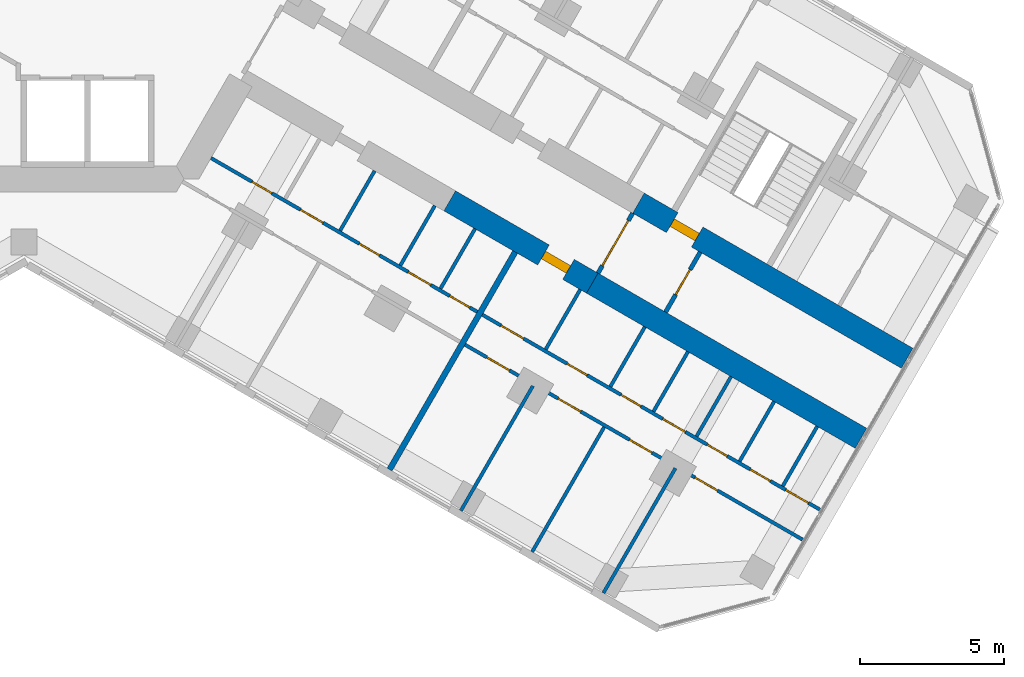
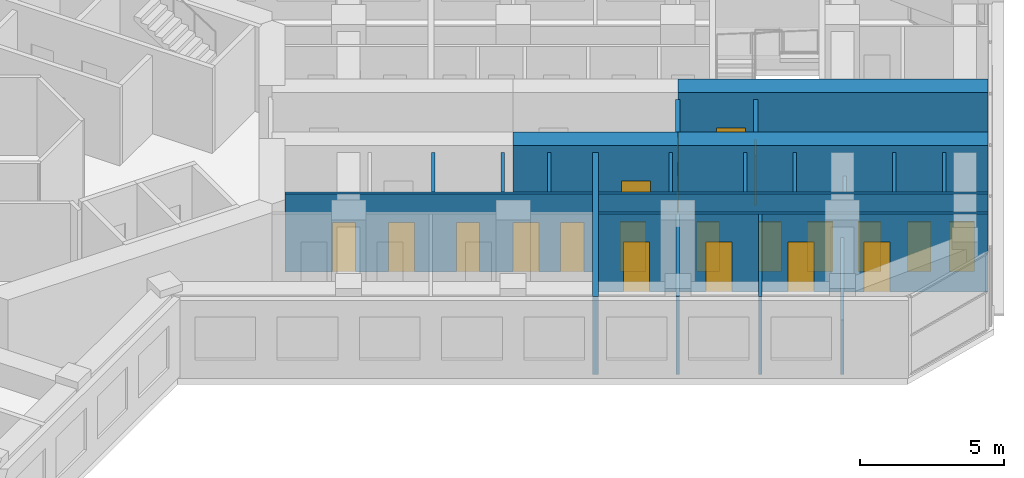
# One storey, part 14 of 20: 21 walls, 20 doors, 20 openings.
"""IFC4 building model written with IfcOpenShell, lengths in metres."""

from ifc_helpers import new_model, si_unit, direction, frame, frame_2d, origin, place, context, subcontext, project, spatial, rectangle, extrude, material, layer, layer_set, type_object, element, fill, save


model = new_model("IFC4")

# Units and contexts
model_context = context("Model", 3, precision=1e-05, world=origin(), true_north=direction((0.0, 1.0)))
body_context = subcontext(model_context, "Body", "Model", "MODEL_VIEW")
ifc_project = project(units=[si_unit("LENGTHUNIT", "METRE"), si_unit("AREAUNIT", "SQUARE_METRE"), si_unit("VOLUMEUNIT", "CUBIC_METRE"), si_unit("PLANEANGLEUNIT", "RADIAN"), si_unit("MASSUNIT", "GRAM", prefix="KILO")], contexts=[model_context])

# Site, building, storey
site_placement = place(None, origin())
site = spatial("IfcSite", under=ifc_project, at=site_placement, CompositionType="ELEMENT")
building_placement = place(site_placement, origin())
building = spatial("IfcBuilding", under=site, at=building_placement, Name="Kosmar Iwan School Tower", CompositionType="ELEMENT")
storey_placement = place(building_placement, frame((0.0, 0.0, 183.199951171875)))
storey = spatial("IfcBuildingStorey", under=building, at=storey_placement, Name="L46", CompositionType="ELEMENT", Elevation=183.199951171875)

# Wall, opening, door
ifc_material_1 = material(Name="Concrete C50/60", Category="concrete")
ifc_layer_1 = layer(ifc_material_1, 0.800048828125)
ifc_layer_set_1 = layer_set([ifc_layer_1], Name="Corridor buttress wall 800")
wall_type_1 = type_object("IfcWallType", Name="Corridor buttress wall 800", PredefinedType="SHEAR", material=ifc_layer_set_1)
wall_1_placement = place(storey_placement, frame((21.281494140625, -10.439453125, 0.0), z_axis=(0.0, 0.0, 1.0), x_axis=(0.866032345022, -0.499987977232, 0.0)))
wall_1 = element("IfcWall", 1, at=wall_1_placement, inside=storey, type_object=wall_type_1, Name="Corridor wall CL bay 3", PredefinedType="SHEAR", context=body_context, shape_type="SweptSolid", body=[
    extrude(rectangle(XDim=10.744873046875, YDim=0.800048828125, at=frame_2d((5.37255859375, 0.0))), origin(), (0.0, 0.0, 1.0), 3.60009765625),
])
opening_1_placement = place(wall_1_placement, frame((1.35009765625, 0.0, 0.0)))
opening_1 = element("IfcOpeningElement", 2, at=opening_1_placement, cuts=wall_1, Name="Opening D6", PredefinedType="OPENING", context=body_context, shape_type="SweptSolid", body=[
    extrude(rectangle(XDim=1.0, YDim=2.10009765625, at=frame_2d((0.5, 1.050048828125))), frame((0.0, 0.412109375, 0.0), z_axis=(0.0, -1.0, 0.0), x_axis=(1.0, 0.0, 0.0)), (0.0, 0.0, 1.0), 0.823974609375),
])
ifc_material_2 = material(Name="Steel fire door", Category="steel")
door_type_1 = type_object("IfcDoorType", Name="Stair door 1000x2100", OperationType="SINGLE_SWING_LEFT", PredefinedType="DOOR", material=ifc_material_2)
door_1_placement = place(opening_1_placement, origin())
door_1 = element("IfcDoor", 3, at=door_1_placement, inside=storey, type_object=door_type_1, Name="Stair WS3 door L46", OperationType="SINGLE_SWING_LEFT", OverallHeight=2.10009765625, OverallWidth=1.0, PredefinedType="DOOR", context=body_context, shape_type="SweptSolid", body=[
    extrude(rectangle(XDim=1.0, YDim=2.10009765625, at=frame_2d((0.5, 1.050048828125))), frame((0.0, 0.14990234375, 0.0), z_axis=(0.0, -1.0, 0.0), x_axis=(1.0, 0.0, 0.0)), (0.0, 0.0, 1.0), 0.300048828125),
])
fill(opening_1, door_1)

wall_2_placement = place(storey_placement, frame((14.7451171875, -10.360595703125, 0.0), z_axis=(0.0, 0.0, 1.0), x_axis=(0.866015111908, -0.50001782563, 0.0)))
wall_2 = element("IfcWall", 4, at=wall_2_placement, inside=storey, type_object=wall_type_1, Name="Corridor wall CR bay 2", PredefinedType="SHEAR", context=body_context, shape_type="SweptSolid", body=[
    extrude(rectangle(XDim=5.699951171875, YDim=0.800048828125, at=frame_2d((2.85009765625, 0.0))), origin(), (0.0, 0.0, 1.0), 3.60009765625),
])
opening_2_placement = place(wall_2_placement, frame((3.75, 0.0, 0.0)))
opening_2 = element("IfcOpeningElement", 5, at=opening_2_placement, cuts=wall_2, Name="Opening D1", PredefinedType="OPENING", context=body_context, shape_type="SweptSolid", body=[
    extrude(rectangle(XDim=1.0, YDim=2.10009765625, at=frame_2d((0.5, 1.050048828125))), frame((0.0, 0.412109375, 0.0), z_axis=(0.0, -1.0, 0.0), x_axis=(1.0, 0.0, 0.0)), (0.0, 0.0, 1.0), 0.823974609375),
])
ifc_material_3 = material(Name="Timber fire door in steel frame", Category="steel")
door_type_2 = type_object("IfcDoorType", Name="Flat entrance door 1000x2100", OperationType="SINGLE_SWING_LEFT", PredefinedType="DOOR", material=ifc_material_3)
door_2_placement = place(opening_2_placement, origin())
door_2 = element("IfcDoor", 6, at=door_2_placement, inside=storey, type_object=door_type_2, Name="Flat L46-CR2 entrance door", OperationType="SINGLE_SWING_RIGHT", OverallHeight=2.10009765625, OverallWidth=1.0, PredefinedType="DOOR", context=body_context, shape_type="SweptSolid", body=[
    extrude(rectangle(XDim=1.0, YDim=2.10009765625, at=frame_2d((0.5, 1.050048828125))), frame((0.0, 0.14990234375, 0.0), z_axis=(0.0, -1.0, 0.0), x_axis=(1.0, 0.0, 0.0)), (0.0, 0.0, 1.0), 0.300048828125),
])
fill(opening_2, door_2)

# Wall
wall_3_placement = place(storey_placement, frame((19.681396484375, -13.210693359375, 0.0), z_axis=(0.0, 0.0, 1.0), x_axis=(0.866028186671, -0.499995179869, 0.0)))
element("IfcWall", 7, at=wall_3_placement, inside=storey, type_object=wall_type_1, Name="Corridor wall CR bay 3", PredefinedType="SHEAR", context=body_context, shape_type="SweptSolid", body=[
    extrude(rectangle(XDim=10.7451171875, YDim=0.800048828125, at=frame_2d((5.37255859375, 0.0))), origin(), (0.0, 0.0, 1.0), 3.60009765625),
])

# Wall, opening, door
ifc_material_4 = material(Name="Gypsum board on steel studs, fire-rated", Category="steel")
ifc_layer_2 = layer(ifc_material_4, 0.14990234375)
ifc_layer_set_2 = layer_set([ifc_layer_2], Name="Corridor end wall 150")
wall_type_2 = type_object("IfcWallType", Name="Corridor end wall 150", PredefinedType="PARTITIONING", material=ifc_layer_set_2)
wall_4_placement = place(storey_placement, frame((22.2197265625, -14.21435546875, 0.0), z_axis=(0.0, 0.0, 1.0), x_axis=(0.499957262057, 0.866050077142, 0.0)))
wall_4 = element("IfcWall", 8, at=wall_4_placement, inside=storey, type_object=wall_type_2, Name="Partition L46-C-CE", PredefinedType="PARTITIONING", context=body_context, shape_type="SweptSolid", body=[
    extrude(rectangle(XDim=2.400146484375, YDim=0.14990234375, at=frame_2d((1.2001953125, 0.0))), origin(), (0.0, 0.0, 1.0), 3.300048828125),
])
opening_3_placement = place(wall_4_placement, frame((0.699951171875, 0.0, 0.0)))
opening_3 = element("IfcOpeningElement", 9, at=opening_3_placement, cuts=wall_4, Name="Opening D13", PredefinedType="OPENING", context=body_context, shape_type="SweptSolid", body=[
    extrude(rectangle(XDim=1.0, YDim=2.10009765625, at=frame_2d((0.5, 1.050048828125))), frame((0.0, 0.0869140625, 0.0), z_axis=(0.0, -1.0, 0.0), x_axis=(1.0, 0.0, 0.0)), (0.0, 0.0, 1.0), 0.173828125),
])
ifc_material_5 = material(Name="Timber fire door with vision panel", Category="wood")
door_type_3 = type_object("IfcDoorType", Name="Corridor end door 1000x2100", OperationType="SINGLE_SWING_LEFT", PredefinedType="DOOR", material=ifc_material_5)
door_3_placement = place(opening_3_placement, origin())
door_3 = element("IfcDoor", 10, at=door_3_placement, inside=storey, type_object=door_type_3, Name="Family study room door L46-C", OperationType="SINGLE_SWING_RIGHT", OverallHeight=2.10009765625, OverallWidth=1.0, PredefinedType="DOOR", context=body_context, shape_type="SweptSolid", body=[
    extrude(rectangle(XDim=1.0, YDim=2.10009765625, at=frame_2d((0.5, 1.050048828125))), frame((0.0, 0.02490234375, 0.0), z_axis=(0.0, -1.0, 0.0), x_axis=(1.0, 0.0, 0.0)), (0.0, 0.0, 1.0), 0.050048828125),
])
fill(opening_3, door_3)

wall_5_placement = place(storey_placement, frame((19.881591796875, -12.8642578125, 0.0), z_axis=(0.0, 0.0, 1.0), x_axis=(0.499957262057, 0.866050077142, 0.0)))
wall_5 = element("IfcWall", 11, at=wall_5_placement, inside=storey, type_object=wall_type_2, Name="Partition L46-C-HW", PredefinedType="PARTITIONING", context=body_context, shape_type="SweptSolid", body=[
    extrude(rectangle(XDim=2.400146484375, YDim=0.14990234375, at=frame_2d((1.2001953125, 0.0))), origin(), (0.0, 0.0, 1.0), 3.300048828125),
])
opening_4_placement = place(wall_5_placement, frame((0.300048828125, 0.0, 0.0)))
opening_4 = element("IfcOpeningElement", 12, at=opening_4_placement, cuts=wall_5, Name="Opening D9", PredefinedType="OPENING", context=body_context, shape_type="SweptSolid", body=[
    extrude(rectangle(XDim=1.800048828125, YDim=2.10009765625, at=frame_2d((0.89990234375, 1.050048828125))), frame((0.0, 0.0869140625, 0.0), z_axis=(0.0, -1.0, 0.0), x_axis=(1.0, 0.0, 0.0)), (0.0, 0.0, 1.0), 0.173828125),
])
ifc_material_6 = material(Name="Steel framed glazed smoke door", Category="steel")
door_type_4 = type_object("IfcDoorType", Name="Corridor smoke door pair 1800x2100", OperationType="DOUBLE_DOOR_DOUBLE_SWING", PredefinedType="DOOR", material=ifc_material_6)
door_4_placement = place(opening_4_placement, origin())
door_4 = element("IfcDoor", 13, at=door_4_placement, inside=storey, type_object=door_type_4, Name="Hashti vestibule smoke doors L46-C", OperationType="DOUBLE_DOOR_DOUBLE_SWING", OverallHeight=2.10009765625, OverallWidth=1.800048828125, PredefinedType="DOOR", context=body_context, shape_type="SweptSolid", body=[
    extrude(rectangle(XDim=1.800048828125, YDim=2.10009765625, at=frame_2d((0.89990234375, 1.050048828125))), frame((0.0, 0.02490234375, 0.0), z_axis=(0.0, -1.0, 0.0), x_axis=(1.0, 0.0, 0.0)), (0.0, 0.0, 1.0), 0.050048828125),
])
fill(opening_4, door_4)

# Wall, openings, doors
ifc_material_7 = material(Name="Gypsum board on steel studs", Category="steel")
ifc_layer_3 = layer(ifc_material_7, 0.1201171875)
ifc_layer_set_3 = layer_set([ifc_layer_3], Name="Dwelling partition 120")
wall_type_3 = type_object("IfcWallType", Name="Dwelling partition 120", PredefinedType="PARTITIONING", material=ifc_layer_set_3)
wall_6_placement = place(storey_placement, frame((6.478515625, -8.87890625, 0.0), z_axis=(0.0, 0.0, 1.0), x_axis=(0.866026778288, -0.499997619282, 0.0)))
wall_6 = element("IfcWall", 14, at=wall_6_placement, inside=storey, type_object=wall_type_3, Name="Partition L46-CR1-W1", PredefinedType="PARTITIONING", context=body_context, shape_type="SweptSolid", body=[
    extrude(rectangle(XDim=10.64990234375, YDim=0.1201171875, at=frame_2d((5.324951171875, 0.0))), origin(), (0.0, 0.0, 1.0), 3.300048828125),
])
opening_5_placement = place(wall_6_placement, frame((1.639892578125, 0.0, 0.0)))
opening_5 = element("IfcOpeningElement", 15, at=opening_5_placement, cuts=wall_6, Name="Opening D3", PredefinedType="OPENING", context=body_context, shape_type="SweptSolid", body=[
    extrude(rectangle(XDim=0.800048828125, YDim=2.10009765625, at=frame_2d((0.39990234375, 1.050048828125))), frame((0.0, 0.072021484375, 0.0), z_axis=(0.0, -1.0, 0.0), x_axis=(1.0, 0.0, 0.0)), (0.0, 0.0, 1.0), 0.14404296875),
])
opening_6_placement = place(wall_6_placement, frame((3.580078125, 0.0, 0.0)))
opening_6 = element("IfcOpeningElement", 16, at=opening_6_placement, cuts=wall_6, Name="Opening D2", PredefinedType="OPENING", context=body_context, shape_type="SweptSolid", body=[
    extrude(rectangle(XDim=0.89990234375, YDim=2.10009765625, at=frame_2d((0.449951171875, 1.050048828125))), frame((0.0, 0.072021484375, 0.0), z_axis=(0.0, -1.0, 0.0), x_axis=(1.0, 0.0, 0.0)), (0.0, 0.0, 1.0), 0.14404296875),
])
opening_7_placement = place(wall_6_placement, frame((5.934326171875, 0.0, 0.0)))
opening_7 = element("IfcOpeningElement", 17, at=opening_7_placement, cuts=wall_6, Name="Opening D3", PredefinedType="OPENING", context=body_context, shape_type="SweptSolid", body=[
    extrude(rectangle(XDim=0.800048828125, YDim=2.10009765625, at=frame_2d((0.39990234375, 1.050048828125))), frame((0.0, 0.072021484375, 0.0), z_axis=(0.0, -1.0, 0.0), x_axis=(1.0, 0.0, 0.0)), (0.0, 0.0, 1.0), 0.14404296875),
])
opening_8_placement = place(wall_6_placement, frame((7.891357421875, 0.0, 0.0)))
opening_8 = element("IfcOpeningElement", 18, at=opening_8_placement, cuts=wall_6, Name="Opening D2", PredefinedType="OPENING", context=body_context, shape_type="SweptSolid", body=[
    extrude(rectangle(XDim=0.89990234375, YDim=2.10009765625, at=frame_2d((0.449951171875, 1.050048828125))), frame((0.0, 0.072021484375, 0.0), z_axis=(0.0, -1.0, 0.0), x_axis=(1.0, 0.0, 0.0)), (0.0, 0.0, 1.0), 0.14404296875),
])
opening_9_placement = place(wall_6_placement, frame((9.547119140625, 0.0, 0.0)))
opening_9 = element("IfcOpeningElement", 19, at=opening_9_placement, cuts=wall_6, Name="Opening D3", PredefinedType="OPENING", context=body_context, shape_type="SweptSolid", body=[
    extrude(rectangle(XDim=0.800048828125, YDim=2.10009765625, at=frame_2d((0.39990234375, 1.050048828125))), frame((0.0, 0.072021484375, 0.0), z_axis=(0.0, -1.0, 0.0), x_axis=(1.0, 0.0, 0.0)), (0.0, 0.0, 1.0), 0.14404296875),
])
ifc_material_8 = material(Name="Timber door in timber frame", Category="wood")
door_type_5 = type_object("IfcDoorType", Name="Internal door 900x2100", OperationType="SINGLE_SWING_LEFT", PredefinedType="DOOR", material=ifc_material_8)
door_5_placement = place(opening_6_placement, origin())
door_5 = element("IfcDoor", 20, at=door_5_placement, inside=storey, type_object=door_type_5, Name="Entrance hall door L46-CR1-S2", OperationType="SINGLE_SWING_RIGHT", OverallHeight=2.10009765625, OverallWidth=0.89990234375, PredefinedType="DOOR", context=body_context, shape_type="SweptSolid", body=[
    extrude(rectangle(XDim=0.89990234375, YDim=2.10009765625, at=frame_2d((0.449951171875, 1.050048828125))), frame((0.0, 0.02490234375, 0.0), z_axis=(0.0, -1.0, 0.0), x_axis=(1.0, 0.0, 0.0)), (0.0, 0.0, 1.0), 0.050048828125),
])
fill(opening_6, door_5)
door_6_placement = place(opening_8_placement, origin())
door_6 = element("IfcDoor", 21, at=door_6_placement, inside=storey, type_object=door_type_5, Name="Pantry door L46-CR1-S4", OperationType="SINGLE_SWING_RIGHT", OverallHeight=2.10009765625, OverallWidth=0.89990234375, PredefinedType="DOOR", context=body_context, shape_type="SweptSolid", body=[
    extrude(rectangle(XDim=0.89990234375, YDim=2.10009765625, at=frame_2d((0.449951171875, 1.050048828125))), frame((0.0, 0.02490234375, 0.0), z_axis=(0.0, -1.0, 0.0), x_axis=(1.0, 0.0, 0.0)), (0.0, 0.0, 1.0), 0.050048828125),
])
fill(opening_8, door_6)
ifc_material_9 = material(Name="Timber door in timber frame", Category="wood")
door_type_6 = type_object("IfcDoorType", Name="Sanitary room door 800x2100", OperationType="SINGLE_SWING_LEFT", PredefinedType="DOOR", material=ifc_material_9)
door_7_placement = place(opening_5_placement, origin())
door_7 = element("IfcDoor", 22, at=door_7_placement, inside=storey, type_object=door_type_6, Name="WC door L46-CR1-S1", OperationType="SINGLE_SWING_RIGHT", OverallHeight=2.10009765625, OverallWidth=0.800048828125, PredefinedType="DOOR", context=body_context, shape_type="SweptSolid", body=[
    extrude(rectangle(XDim=0.800048828125, YDim=2.10009765625, at=frame_2d((0.39990234375, 1.050048828125))), frame((0.0, 0.02490234375, 0.0), z_axis=(0.0, -1.0, 0.0), x_axis=(1.0, 0.0, 0.0)), (0.0, 0.0, 1.0), 0.050048828125),
])
fill(opening_5, door_7)
door_8_placement = place(opening_7_placement, origin())
door_8 = element("IfcDoor", 23, at=door_8_placement, inside=storey, type_object=door_type_6, Name="Bathroom door L46-CR1-S3", OperationType="SINGLE_SWING_LEFT", OverallHeight=2.10009765625, OverallWidth=0.800048828125, PredefinedType="DOOR", context=body_context, shape_type="SweptSolid", body=[
    extrude(rectangle(XDim=0.800048828125, YDim=2.10009765625, at=frame_2d((0.39990234375, 1.050048828125))), frame((0.0, 0.02490234375, 0.0), z_axis=(0.0, -1.0, 0.0), x_axis=(1.0, 0.0, 0.0)), (0.0, 0.0, 1.0), 0.050048828125),
])
fill(opening_7, door_8)
door_9_placement = place(opening_9_placement, origin())
door_9 = element("IfcDoor", 24, at=door_9_placement, inside=storey, type_object=door_type_6, Name="Store door L46-CR1-S5", OperationType="SINGLE_SWING_RIGHT", OverallHeight=2.10009765625, OverallWidth=0.800048828125, PredefinedType="DOOR", context=body_context, shape_type="SweptSolid", body=[
    extrude(rectangle(XDim=0.800048828125, YDim=2.10009765625, at=frame_2d((0.39990234375, 1.050048828125))), frame((0.0, 0.02490234375, 0.0), z_axis=(0.0, -1.0, 0.0), x_axis=(1.0, 0.0, 0.0)), (0.0, 0.0, 1.0), 0.050048828125),
])
fill(opening_9, door_9)

# Walls
for number, where, z_axis, x_axis, name in (
    (25, (12.146240234375, -9.322021484375, 0.0), (0.0, 0.0, 1.0), (-0.500017192868, -0.86601547725, 0.0), "Partition L46-CR1-Y2"),
    (26, (14.232177734375, -10.5263671875, 0.0), (0.0, 0.0, 1.0), (-0.500017192868, -0.86601547725, 0.0), "Partition L46-CR1-Y3"),
    (27, (15.622802734375, -11.3291015625, 0.0), (0.0, 0.0, 1.0), (-0.500017192868, -0.86601547725, 0.0), "Partition L46-CR1-Y4"),
):
    element("IfcWall", number, at=place(storey_placement, frame(where, z_axis=z_axis, x_axis=x_axis)), inside=storey, type_object=wall_type_3, Name=name, PredefinedType="PARTITIONING", context=body_context, shape_type="SweptSolid", body=[
        extrude(rectangle(XDim=2.39013671875, YDim=0.1201171875, at=frame_2d((1.195068359375, 0.0))), origin(), (0.0, 0.0, 1.0), 3.300048828125),
    ])

# Wall, openings, doors
wall_7_placement = place(storey_placement, frame((15.875, -14.3037109375, 0.0), z_axis=(0.0, 0.0, 1.0), x_axis=(0.866023503214, -0.50000329187, 0.0)))
wall_7 = element("IfcWall", 28, at=wall_7_placement, inside=storey, type_object=wall_type_3, Name="Partition L46-CR2-W1", PredefinedType="PARTITIONING", context=body_context, shape_type="SweptSolid", body=[
    extrude(rectangle(XDim=13.4951171875, YDim=0.1201171875, at=frame_2d((6.74755859375, 0.0))), origin(), (0.0, 0.0, 1.0), 3.300048828125),
])
opening_10_placement = place(wall_7_placement, frame((0.75, 0.0, 0.0)))
opening_10 = element("IfcOpeningElement", 29, at=opening_10_placement, cuts=wall_7, Name="Opening D2", PredefinedType="OPENING", context=body_context, shape_type="SweptSolid", body=[
    extrude(rectangle(XDim=0.89990234375, YDim=2.10009765625, at=frame_2d((0.449951171875, 1.050048828125))), frame((0.0, 0.072021484375, 0.0), z_axis=(0.0, -1.0, 0.0), x_axis=(1.0, 0.0, 0.0)), (0.0, 0.0, 1.0), 0.14404296875),
])
opening_11_placement = place(wall_7_placement, frame((3.392333984375, 0.0, 0.0)))
opening_11 = element("IfcOpeningElement", 30, at=opening_11_placement, cuts=wall_7, Name="Opening D3", PredefinedType="OPENING", context=body_context, shape_type="SweptSolid", body=[
    extrude(rectangle(XDim=0.800048828125, YDim=2.10009765625, at=frame_2d((0.39990234375, 1.050048828125))), frame((0.0, 0.072021484375, 0.0), z_axis=(0.0, -1.0, 0.0), x_axis=(1.0, 0.0, 0.0)), (0.0, 0.0, 1.0), 0.14404296875),
])
opening_12_placement = place(wall_7_placement, frame((5.546142578125, 0.0, 0.0)))
opening_12 = element("IfcOpeningElement", 31, at=opening_12_placement, cuts=wall_7, Name="Opening D3", PredefinedType="OPENING", context=body_context, shape_type="SweptSolid", body=[
    extrude(rectangle(XDim=0.800048828125, YDim=2.10009765625, at=frame_2d((0.39990234375, 1.050048828125))), frame((0.0, 0.072021484375, 0.0), z_axis=(0.0, -1.0, 0.0), x_axis=(1.0, 0.0, 0.0)), (0.0, 0.0, 1.0), 0.14404296875),
])
opening_13_placement = place(wall_7_placement, frame((7.21923828125, 0.0, 0.0)))
opening_13 = element("IfcOpeningElement", 32, at=opening_13_placement, cuts=wall_7, Name="Opening D2", PredefinedType="OPENING", context=body_context, shape_type="SweptSolid", body=[
    extrude(rectangle(XDim=0.89990234375, YDim=2.10009765625, at=frame_2d((0.449951171875, 1.050048828125))), frame((0.0, 0.072021484375, 0.0), z_axis=(0.0, -1.0, 0.0), x_axis=(1.0, 0.0, 0.0)), (0.0, 0.0, 1.0), 0.14404296875),
])
opening_14_placement = place(wall_7_placement, frame((8.992431640625, 0.0, 0.0)))
opening_14 = element("IfcOpeningElement", 33, at=opening_14_placement, cuts=wall_7, Name="Opening D3", PredefinedType="OPENING", context=body_context, shape_type="SweptSolid", body=[
    extrude(rectangle(XDim=0.800048828125, YDim=2.10009765625, at=frame_2d((0.39990234375, 1.050048828125))), frame((0.0, 0.072021484375, 0.0), z_axis=(0.0, -1.0, 0.0), x_axis=(1.0, 0.0, 0.0)), (0.0, 0.0, 1.0), 0.14404296875),
])
opening_15_placement = place(wall_7_placement, frame((10.71533203125, 0.0, 0.0)))
opening_15 = element("IfcOpeningElement", 34, at=opening_15_placement, cuts=wall_7, Name="Opening D3", PredefinedType="OPENING", context=body_context, shape_type="SweptSolid", body=[
    extrude(rectangle(XDim=0.800048828125, YDim=2.10009765625, at=frame_2d((0.39990234375, 1.050048828125))), frame((0.0, 0.072021484375, 0.0), z_axis=(0.0, -1.0, 0.0), x_axis=(1.0, 0.0, 0.0)), (0.0, 0.0, 1.0), 0.14404296875),
])
opening_16_placement = place(wall_7_placement, frame((12.136962890625, 0.0, 0.0)))
opening_16 = element("IfcOpeningElement", 35, at=opening_16_placement, cuts=wall_7, Name="Opening D2", PredefinedType="OPENING", context=body_context, shape_type="SweptSolid", body=[
    extrude(rectangle(XDim=0.89990234375, YDim=2.10009765625, at=frame_2d((0.449951171875, 1.050048828125))), frame((0.0, 0.072021484375, 0.0), z_axis=(0.0, -1.0, 0.0), x_axis=(1.0, 0.0, 0.0)), (0.0, 0.0, 1.0), 0.14404296875),
])
door_10_placement = place(opening_10_placement, origin())
door_10 = element("IfcDoor", 36, at=door_10_placement, inside=storey, type_object=door_type_5, Name="Entrance hall door L46-CR2-S1", OperationType="SINGLE_SWING_LEFT", OverallHeight=2.10009765625, OverallWidth=0.89990234375, PredefinedType="DOOR", context=body_context, shape_type="SweptSolid", body=[
    extrude(rectangle(XDim=0.89990234375, YDim=2.10009765625, at=frame_2d((0.449951171875, 1.050048828125))), frame((0.0, 0.02490234375, 0.0), z_axis=(0.0, -1.0, 0.0), x_axis=(1.0, 0.0, 0.0)), (0.0, 0.0, 1.0), 0.050048828125),
])
fill(opening_10, door_10)
door_11_placement = place(opening_13_placement, origin())
door_11 = element("IfcDoor", 37, at=door_11_placement, inside=storey, type_object=door_type_5, Name="Pantry door L46-CR2-S4", OperationType="SINGLE_SWING_RIGHT", OverallHeight=2.10009765625, OverallWidth=0.89990234375, PredefinedType="DOOR", context=body_context, shape_type="SweptSolid", body=[
    extrude(rectangle(XDim=0.89990234375, YDim=2.10009765625, at=frame_2d((0.449951171875, 1.050048828125))), frame((0.0, 0.02490234375, 0.0), z_axis=(0.0, -1.0, 0.0), x_axis=(1.0, 0.0, 0.0)), (0.0, 0.0, 1.0), 0.050048828125),
])
fill(opening_13, door_11)
door_12_placement = place(opening_16_placement, origin())
door_12 = element("IfcDoor", 38, at=door_12_placement, inside=storey, type_object=door_type_5, Name="Utility room door L46-CR2-S7", OperationType="SINGLE_SWING_LEFT", OverallHeight=2.10009765625, OverallWidth=0.89990234375, PredefinedType="DOOR", context=body_context, shape_type="SweptSolid", body=[
    extrude(rectangle(XDim=0.89990234375, YDim=2.10009765625, at=frame_2d((0.449951171875, 1.050048828125))), frame((0.0, 0.02490234375, 0.0), z_axis=(0.0, -1.0, 0.0), x_axis=(1.0, 0.0, 0.0)), (0.0, 0.0, 1.0), 0.050048828125),
])
fill(opening_16, door_12)
door_13_placement = place(opening_11_placement, origin())
door_13 = element("IfcDoor", 39, at=door_13_placement, inside=storey, type_object=door_type_6, Name="Bathroom door L46-CR2-S2", OperationType="SINGLE_SWING_RIGHT", OverallHeight=2.10009765625, OverallWidth=0.800048828125, PredefinedType="DOOR", context=body_context, shape_type="SweptSolid", body=[
    extrude(rectangle(XDim=0.800048828125, YDim=2.10009765625, at=frame_2d((0.39990234375, 1.050048828125))), frame((0.0, 0.02490234375, 0.0), z_axis=(0.0, -1.0, 0.0), x_axis=(1.0, 0.0, 0.0)), (0.0, 0.0, 1.0), 0.050048828125),
])
fill(opening_11, door_13)
door_14_placement = place(opening_12_placement, origin())
door_14 = element("IfcDoor", 40, at=door_14_placement, inside=storey, type_object=door_type_6, Name="Shower room door L46-CR2-S3", OperationType="SINGLE_SWING_LEFT", OverallHeight=2.10009765625, OverallWidth=0.800048828125, PredefinedType="DOOR", context=body_context, shape_type="SweptSolid", body=[
    extrude(rectangle(XDim=0.800048828125, YDim=2.10009765625, at=frame_2d((0.39990234375, 1.050048828125))), frame((0.0, 0.02490234375, 0.0), z_axis=(0.0, -1.0, 0.0), x_axis=(1.0, 0.0, 0.0)), (0.0, 0.0, 1.0), 0.050048828125),
])
fill(opening_12, door_14)
door_15_placement = place(opening_14_placement, origin())
door_15 = element("IfcDoor", 41, at=door_15_placement, inside=storey, type_object=door_type_6, Name="WC door L46-CR2-S5", OperationType="SINGLE_SWING_LEFT", OverallHeight=2.10009765625, OverallWidth=0.800048828125, PredefinedType="DOOR", context=body_context, shape_type="SweptSolid", body=[
    extrude(rectangle(XDim=0.800048828125, YDim=2.10009765625, at=frame_2d((0.39990234375, 1.050048828125))), frame((0.0, 0.02490234375, 0.0), z_axis=(0.0, -1.0, 0.0), x_axis=(1.0, 0.0, 0.0)), (0.0, 0.0, 1.0), 0.050048828125),
])
fill(opening_14, door_15)
door_16_placement = place(opening_15_placement, origin())
door_16 = element("IfcDoor", 42, at=door_16_placement, inside=storey, type_object=door_type_6, Name="Store door L46-CR2-S6", OperationType="SINGLE_SWING_RIGHT", OverallHeight=2.10009765625, OverallWidth=0.800048828125, PredefinedType="DOOR", context=body_context, shape_type="SweptSolid", body=[
    extrude(rectangle(XDim=0.800048828125, YDim=2.10009765625, at=frame_2d((0.39990234375, 1.050048828125))), frame((0.0, 0.02490234375, 0.0), z_axis=(0.0, -1.0, 0.0), x_axis=(1.0, 0.0, 0.0)), (0.0, 0.0, 1.0), 0.050048828125),
])
fill(opening_15, door_16)

wall_8_placement = place(storey_placement, frame((15.27490234375, -15.343017578125, 0.0), z_axis=(0.0, 0.0, 1.0), x_axis=(0.866023503214, -0.50000329187, 0.0)))
wall_8 = element("IfcWall", 43, at=wall_8_placement, inside=storey, type_object=wall_type_3, Name="Partition L46-CR2-W2", PredefinedType="PARTITIONING", context=body_context, shape_type="SweptSolid", body=[
    extrude(rectangle(XDim=13.4951171875, YDim=0.1201171875, at=frame_2d((6.74755859375, 0.0))), origin(), (0.0, 0.0, 1.0), 3.300048828125),
])
opening_17_placement = place(wall_8_placement, frame((0.875, 0.0, 0.0)))
opening_17 = element("IfcOpeningElement", 44, at=opening_17_placement, cuts=wall_8, Name="Opening D2", PredefinedType="OPENING", context=body_context, shape_type="SweptSolid", body=[
    extrude(rectangle(XDim=0.89990234375, YDim=2.10009765625, at=frame_2d((0.449951171875, 1.050048828125))), frame((0.0, 0.072021484375, 0.0), z_axis=(0.0, -1.0, 0.0), x_axis=(1.0, 0.0, 0.0)), (0.0, 0.0, 1.0), 0.14404296875),
])
opening_18_placement = place(wall_8_placement, frame((3.72509765625, 0.0, 0.0)))
opening_18 = element("IfcOpeningElement", 45, at=opening_18_placement, cuts=wall_8, Name="Opening D2", PredefinedType="OPENING", context=body_context, shape_type="SweptSolid", body=[
    extrude(rectangle(XDim=0.89990234375, YDim=2.10009765625, at=frame_2d((0.449951171875, 1.050048828125))), frame((0.0, 0.072021484375, 0.0), z_axis=(0.0, -1.0, 0.0), x_axis=(1.0, 0.0, 0.0)), (0.0, 0.0, 1.0), 0.14404296875),
])
opening_19_placement = place(wall_8_placement, frame((6.574951171875, 0.0, 0.0)))
opening_19 = element("IfcOpeningElement", 46, at=opening_19_placement, cuts=wall_8, Name="Opening D2", PredefinedType="OPENING", context=body_context, shape_type="SweptSolid", body=[
    extrude(rectangle(XDim=0.89990234375, YDim=2.10009765625, at=frame_2d((0.449951171875, 1.050048828125))), frame((0.0, 0.072021484375, 0.0), z_axis=(0.0, -1.0, 0.0), x_axis=(1.0, 0.0, 0.0)), (0.0, 0.0, 1.0), 0.14404296875),
])
opening_20_placement = place(wall_8_placement, frame((9.199951171875, 0.0, 0.0)))
opening_20 = element("IfcOpeningElement", 47, at=opening_20_placement, cuts=wall_8, Name="Opening D2", PredefinedType="OPENING", context=body_context, shape_type="SweptSolid", body=[
    extrude(rectangle(XDim=0.89990234375, YDim=2.10009765625, at=frame_2d((0.449951171875, 1.050048828125))), frame((0.0, 0.072021484375, 0.0), z_axis=(0.0, -1.0, 0.0), x_axis=(1.0, 0.0, 0.0)), (0.0, 0.0, 1.0), 0.14404296875),
])
door_17_placement = place(opening_17_placement, origin())
door_17 = element("IfcDoor", 48, at=door_17_placement, inside=storey, type_object=door_type_5, Name="Bedroom 2 door L46-CR2-F1", OperationType="SINGLE_SWING_LEFT", OverallHeight=2.10009765625, OverallWidth=0.89990234375, PredefinedType="DOOR", context=body_context, shape_type="SweptSolid", body=[
    extrude(rectangle(XDim=0.89990234375, YDim=2.10009765625, at=frame_2d((0.449951171875, 1.050048828125))), frame((0.0, 0.02490234375, 0.0), z_axis=(0.0, -1.0, 0.0), x_axis=(1.0, 0.0, 0.0)), (0.0, 0.0, 1.0), 0.050048828125),
])
fill(opening_17, door_17)
door_18_placement = place(opening_18_placement, origin())
door_18 = element("IfcDoor", 49, at=door_18_placement, inside=storey, type_object=door_type_5, Name="Kitchen and dining room door L46-CR2-F2", OperationType="SINGLE_SWING_LEFT", OverallHeight=2.10009765625, OverallWidth=0.89990234375, PredefinedType="DOOR", context=body_context, shape_type="SweptSolid", body=[
    extrude(rectangle(XDim=0.89990234375, YDim=2.10009765625, at=frame_2d((0.449951171875, 1.050048828125))), frame((0.0, 0.02490234375, 0.0), z_axis=(0.0, -1.0, 0.0), x_axis=(1.0, 0.0, 0.0)), (0.0, 0.0, 1.0), 0.050048828125),
])
fill(opening_18, door_18)
door_19_placement = place(opening_19_placement, origin())
door_19 = element("IfcDoor", 50, at=door_19_placement, inside=storey, type_object=door_type_5, Name="Bedroom 1 door L46-CR2-F3", OperationType="SINGLE_SWING_RIGHT", OverallHeight=2.10009765625, OverallWidth=0.89990234375, PredefinedType="DOOR", context=body_context, shape_type="SweptSolid", body=[
    extrude(rectangle(XDim=0.89990234375, YDim=2.10009765625, at=frame_2d((0.449951171875, 1.050048828125))), frame((0.0, 0.02490234375, 0.0), z_axis=(0.0, -1.0, 0.0), x_axis=(1.0, 0.0, 0.0)), (0.0, 0.0, 1.0), 0.050048828125),
])
fill(opening_19, door_19)
door_20_placement = place(opening_20_placement, origin())
door_20 = element("IfcDoor", 51, at=door_20_placement, inside=storey, type_object=door_type_5, Name="Living room door L46-CR2-F4", OperationType="SINGLE_SWING_RIGHT", OverallHeight=2.10009765625, OverallWidth=0.89990234375, PredefinedType="DOOR", context=body_context, shape_type="SweptSolid", body=[
    extrude(rectangle(XDim=0.89990234375, YDim=2.10009765625, at=frame_2d((0.449951171875, 1.050048828125))), frame((0.0, 0.02490234375, 0.0), z_axis=(0.0, -1.0, 0.0), x_axis=(1.0, 0.0, 0.0)), (0.0, 0.0, 1.0), 0.050048828125),
])
fill(opening_20, door_20)

# Walls
wall_9_placement = place(storey_placement, frame((17.62646484375, -16.77001953125, 0.0), z_axis=(0.0, 0.0, 1.0), x_axis=(-0.499975153383, -0.86603974851, 0.0)))
element("IfcWall", 52, at=wall_9_placement, inside=storey, type_object=wall_type_3, Name="Partition L46-CR2-X1", PredefinedType="PARTITIONING", context=body_context, shape_type="SweptSolid", body=[
    extrude(rectangle(XDim=4.989990234375, YDim=0.1201171875, at=frame_2d((2.4951171875, 0.0))), origin(), (0.0, 0.0, 1.0), 3.300048828125),
])
wall_10_placement = place(storey_placement, frame((20.0947265625, -18.195068359375, 0.0), z_axis=(0.0, 0.0, 1.0), x_axis=(-0.500011847778, -0.866018563358, 0.0)))
element("IfcWall", 53, at=wall_10_placement, inside=storey, type_object=wall_type_3, Name="Partition L46-CR2-X2", PredefinedType="PARTITIONING", context=body_context, shape_type="SweptSolid", body=[
    extrude(rectangle(XDim=4.990234375, YDim=0.1201171875, at=frame_2d((2.4951171875, 0.0))), origin(), (0.0, 0.0, 1.0), 3.300048828125),
])
wall_11_placement = place(storey_placement, frame((22.562744140625, -19.6201171875, 0.0), z_axis=(0.0, 0.0, 1.0), x_axis=(-0.499996339024, -0.86602751744, 0.0)))
element("IfcWall", 54, at=wall_11_placement, inside=storey, type_object=wall_type_3, Name="Partition L46-CR2-X3", PredefinedType="PARTITIONING", context=body_context, shape_type="SweptSolid", body=[
    extrude(rectangle(XDim=4.98974609375, YDim=0.1201171875, at=frame_2d((2.494873046875, 0.0))), origin(), (0.0, 0.0, 1.0), 2.300048828125),
])
wall_12_placement = place(storey_placement, frame((19.264892578125, -13.43212890625, 0.0), z_axis=(0.0, 0.0, 1.0), x_axis=(-0.499940577336, -0.866059708757, 0.0)))
element("IfcWall", 55, at=wall_12_placement, inside=storey, type_object=wall_type_3, Name="Partition L46-CR2-Y1", PredefinedType="PARTITIONING", context=body_context, shape_type="SweptSolid", body=[
    extrude(rectangle(XDim=2.389892578125, YDim=0.1201171875, at=frame_2d((1.19482421875, 0.0))), origin(), (0.0, 0.0, 1.0), 3.300048828125),
])
for number, where, z_axis, x_axis, name in (
    (56, (21.50341796875, -14.724365234375, 0.0), (0.0, 0.0, 1.0), (-0.500017192868, -0.86601547725, 0.0), "Partition L46-CR2-Y2"),
    (57, (22.99560546875, -15.5859375, 0.0), (0.0, 0.0, 1.0), (-0.500017192868, -0.86601547725, 0.0), "Partition L46-CR2-Y3"),
):
    element("IfcWall", number, at=place(storey_placement, frame(where, z_axis=z_axis, x_axis=x_axis)), inside=storey, type_object=wall_type_3, Name=name, PredefinedType="PARTITIONING", context=body_context, shape_type="SweptSolid", body=[
        extrude(rectangle(XDim=2.39013671875, YDim=0.1201171875, at=frame_2d((1.195068359375, 0.0))), origin(), (0.0, 0.0, 1.0), 3.300048828125),
    ])
wall_13_placement = place(storey_placement, frame((24.48779296875, -16.447509765625, 0.0), z_axis=(0.0, 0.0, 1.0), x_axis=(-0.500017192868, -0.86601547725, 0.0)))
element("IfcWall", 58, at=wall_13_placement, inside=storey, type_object=wall_type_3, Name="Partition L46-CR2-Y4", PredefinedType="PARTITIONING", context=body_context, shape_type="SweptSolid", body=[
    extrude(rectangle(XDim=2.39013671875, YDim=0.1201171875, at=frame_2d((1.195068359375, 0.0))), origin(), (0.0, 0.0, 1.0), 2.300048828125),
])
for number, where, z_axis, x_axis, name in (
    (59, (25.97998046875, -17.30908203125, 0.0), (0.0, 0.0, 1.0), (-0.500061428766, -0.865989934965, 0.0), "Partition L46-CR2-Y5"),
    (60, (27.47216796875, -18.17041015625, 0.0), (0.0, 0.0, 1.0), (-0.499940577336, -0.866059708757, 0.0), "Partition L46-CR2-Y6"),
):
    element("IfcWall", number, at=place(storey_placement, frame(where, z_axis=z_axis, x_axis=x_axis)), inside=storey, type_object=wall_type_3, Name=name, PredefinedType="PARTITIONING", context=body_context, shape_type="SweptSolid", body=[
        extrude(rectangle(XDim=2.389892578125, YDim=0.1201171875, at=frame_2d((1.19482421875, 0.0))), origin(), (0.0, 0.0, 1.0), 3.300048828125),
    ])
ifc_material_10 = material(Name="Concrete block masonry", Category="masonry")
ifc_layer_4 = layer(ifc_material_10, 0.199951171875)
ifc_layer_set_4 = layer_set([ifc_layer_4], Name="Party wall 200")
wall_type_4 = type_object("IfcWallType", Name="Party wall 200", PredefinedType="PARTITIONING", material=ifc_layer_set_4)
wall_14_placement = place(storey_placement, frame((17.013427734375, -12.132080078125, 0.0), z_axis=(0.0, 0.0, 1.0), x_axis=(-0.500008278454, -0.866020624164, 0.0)))
element("IfcWall", 61, at=wall_14_placement, inside=storey, type_object=wall_type_4, Name="Partition L46-CR2-PW", PredefinedType="PARTITIONING", context=body_context, shape_type="SweptSolid", body=[
    extrude(rectangle(XDim=8.699951171875, YDim=0.199951171875, at=frame_2d((4.35009765625, 0.0))), origin(), (0.0, 0.0, 1.0), 3.300048828125),
])

save(model, "model.ifc")
